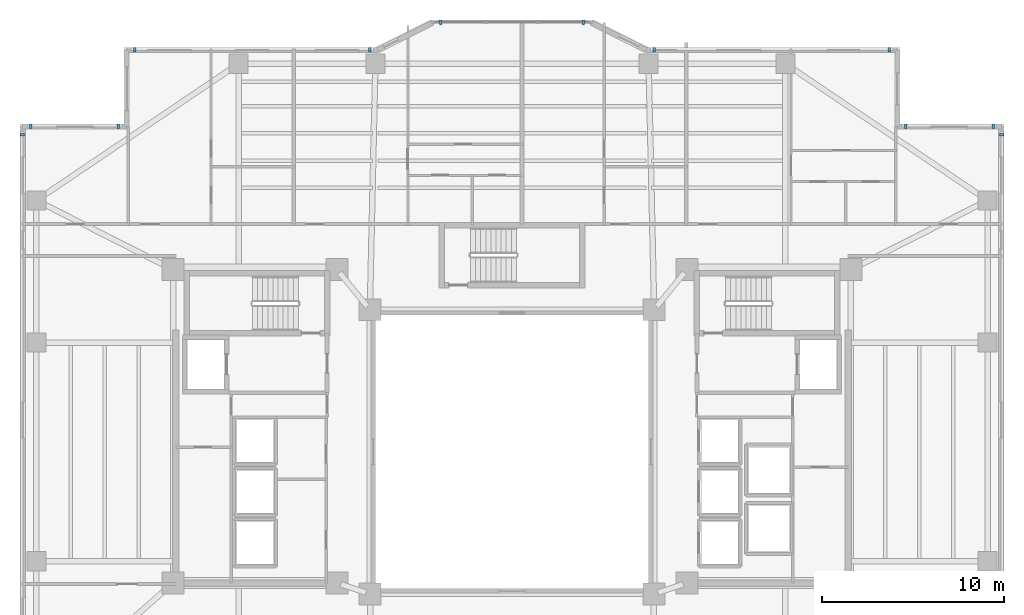
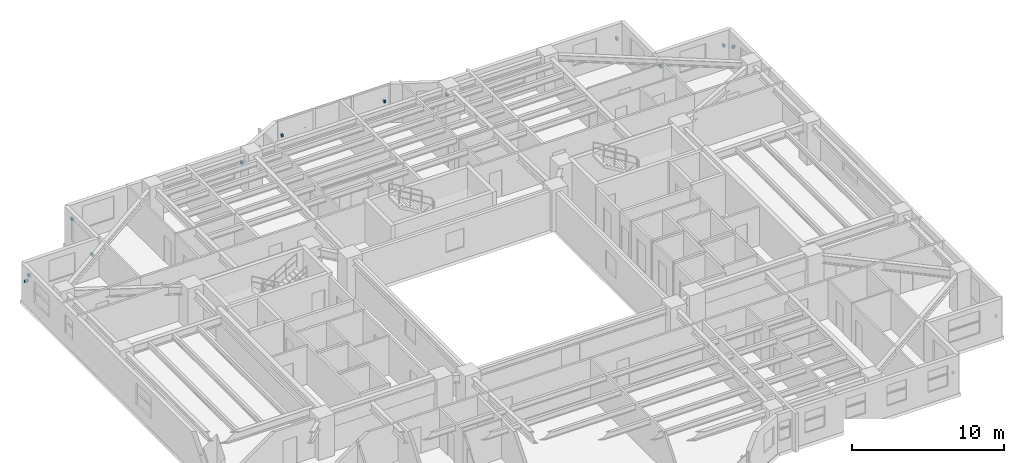
# One storey, part 13 of 18: 12 discrete accessories.
"""IFC4 building model written with IfcOpenShell, lengths in metres."""

from ifc_helpers import new_model, si_unit, direction, frame, origin, origin_2d, place, context, subcontext, project, spatial, rectangle, extrude, material, type_object, element, save


model = new_model("IFC4")

# Units and contexts
model_context = context("Model", 3, precision=1e-05, world=origin(), true_north=direction((0.0, 1.0)))
body_context = subcontext(model_context, "Body", "Model", "MODEL_VIEW")
ifc_project = project(units=[si_unit("LENGTHUNIT", "METRE"), si_unit("AREAUNIT", "SQUARE_METRE"), si_unit("VOLUMEUNIT", "CUBIC_METRE"), si_unit("PLANEANGLEUNIT", "RADIAN"), si_unit("MASSUNIT", "GRAM", prefix="KILO")], contexts=[model_context])

# Site, building, storey
site_placement = place(None, origin())
site = spatial("IfcSite", under=ifc_project, at=site_placement, CompositionType="ELEMENT")
building_placement = place(site_placement, origin())
building = spatial("IfcBuilding", under=site, at=building_placement, Name="Tarnavaz Court Tower", CompositionType="ELEMENT")
storey_placement = place(building_placement, frame((0.0, 0.0, 98.39990234375)))
storey = spatial("IfcBuildingStorey", under=building, at=storey_placement, Name="L26", CompositionType="ELEMENT", Elevation=98.39990234375)

# Discrete accessories
ifc_material = material(Name="Anodised Aluminium 6063-T6", Category="aluminium")
discrete_accessory_type = type_object("IfcDiscreteAccessoryType", Name="DA-BRKT-ALU", PredefinedType="BRACKET", material=ifc_material)
for number, where, z_axis, x_axis, name in (
    (1, (-26.8701171875, 17.39990234375, 1.75), (0.0, 0.0, 1.0), (0.0, 1.0, 0.0), "L26 Baguette Outrigger Bracket FBG02-2"),
    (2, (-26.39990234375, 17.8701171875, 1.75), (0.0, 0.0, 1.0), (1.0, 0.0, 0.0), "L26 Baguette Outrigger Bracket FBG03-1"),
    (3, (-21.60009765625, 17.8701171875, 1.75), (0.0, 0.0, 1.0), (1.0, 0.0, 0.0), "L26 Baguette Outrigger Bracket FBG03-2"),
    (4, (-20.699951171875, 22.070068359375, 1.75), (0.0, 0.0, 1.0), (1.0, 0.0, 0.0), "L26 Baguette Outrigger Bracket FBG05-1"),
    (5, (-7.800048828125, 22.070068359375, 1.75), (0.0, 0.0, 1.0), (1.0, 0.0, 0.0), "L26 Baguette Outrigger Bracket FBG05-2"),
    (6, (-3.89990234375, 23.570068359375, 1.7001953125), (0.0, 0.0, 1.0), (1.0, 0.0, 0.0), "L26 Baguette Outrigger Bracket PBG7-1"),
    (7, (3.89990234375, 23.570068359375, 1.7001953125), (0.0, 0.0, 1.0), (1.0, 0.0, 0.0), "L26 Baguette Outrigger Bracket PBG7-2"),
    (8, (7.800048828125, 22.070068359375, 1.75), (0.0, 0.0, 1.0), (1.0, 0.0, 0.0), "L26 Baguette Outrigger Bracket FBG09-1"),
    (9, (20.699951171875, 22.070068359375, 1.75), (0.0, 0.0, 1.0), (1.0, 0.0, 0.0), "L26 Baguette Outrigger Bracket FBG09-2"),
    (10, (21.60009765625, 17.8701171875, 1.75), (0.0, 0.0, 1.0), (1.0, 0.0, 0.0), "L26 Baguette Outrigger Bracket FBG11-1"),
    (11, (26.39990234375, 17.8701171875, 1.75), (0.0, 0.0, 1.0), (1.0, 0.0, 0.0), "L26 Baguette Outrigger Bracket FBG11-2"),
    (12, (26.8701171875, 17.39990234375, 1.75), (0.0, 0.0, 1.0), (0.0, -1.0, 0.0), "L26 Baguette Outrigger Bracket FBG12-1"),
):
    element("IfcDiscreteAccessory", number, at=place(storey_placement, frame(where, z_axis=z_axis, x_axis=x_axis)), inside=storey, type_object=discrete_accessory_type, Name=name, PredefinedType="BRACKET", context=body_context, shape_type="SweptSolid", body=[
        extrude(rectangle(XDim=0.139892578125, YDim=0.239990234375, at=origin_2d()), origin(), (0.0, 0.0, 1.0), 0.199951171875),
    ])

save(model, "model.ifc")
